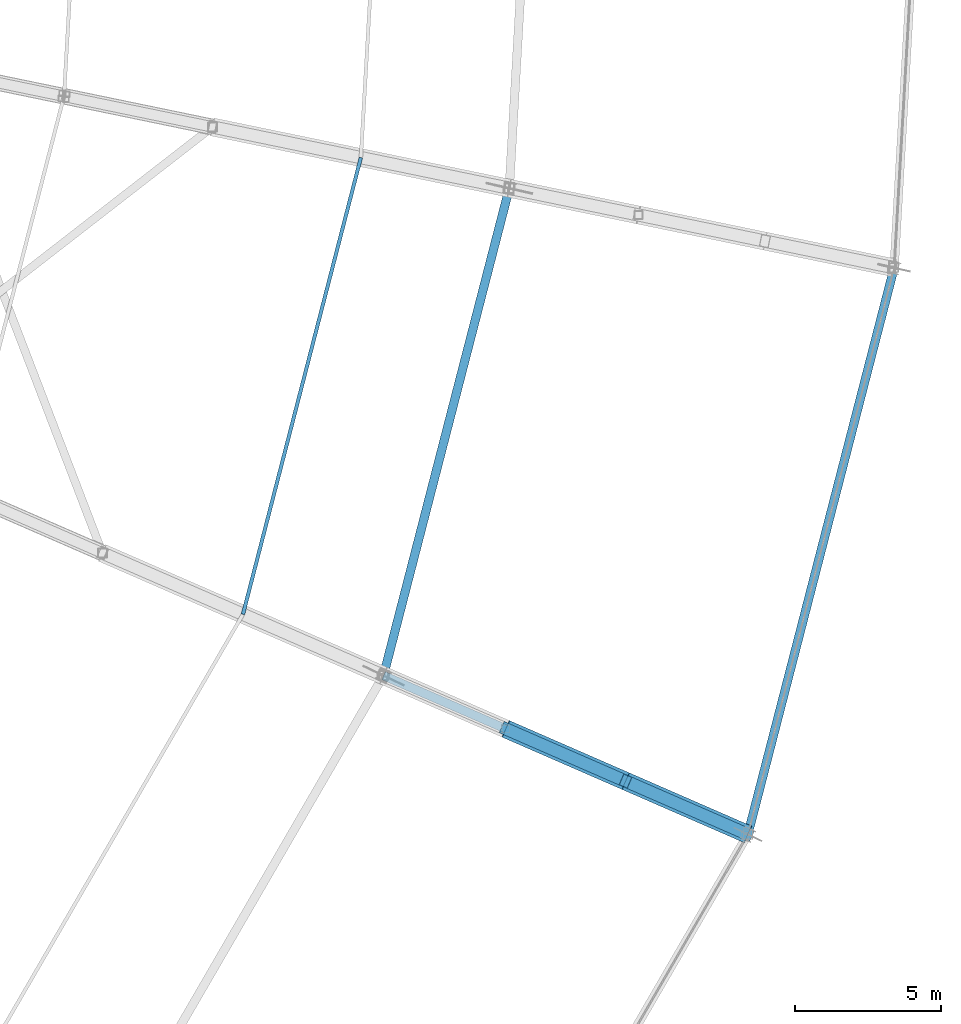
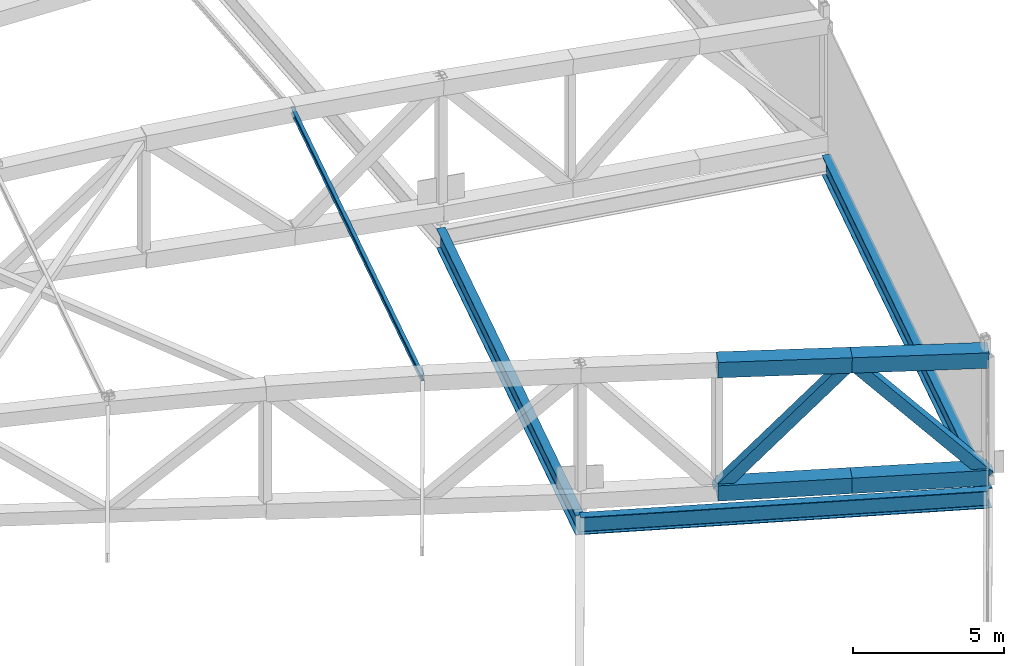
# One storey, part 54 of 162: 7 members, 3 beams.
"""IFC4 building model written with IfcOpenShell, lengths in metres."""

from ifc_helpers import new_model, si_unit, direction, frame, origin, origin_2d, place, context, subcontext, project, spatial, hollow_rectangle, i_section, extrude, material, material_profile, profile_set, type_object, element, save


model = new_model("IFC4")

# Units and contexts
model_context = context("Model", 3, precision=1e-05, world=origin(), true_north=direction((0.0, 1.0)))
body_context = subcontext(model_context, "Body", "Model", "MODEL_VIEW")
ifc_project = project(units=[si_unit("LENGTHUNIT", "METRE"), si_unit("AREAUNIT", "SQUARE_METRE"), si_unit("VOLUMEUNIT", "CUBIC_METRE"), si_unit("PLANEANGLEUNIT", "RADIAN"), si_unit("MASSUNIT", "GRAM", prefix="KILO")], contexts=[model_context])

# Site, building, storey
site_placement = place(None, origin())
site = spatial("IfcSite", under=ifc_project, at=site_placement, CompositionType="ELEMENT")
building_placement = place(site_placement, origin())
building = spatial("IfcBuilding", under=site, at=building_placement, Name="Kazemori Nagisa Stadium", CompositionType="ELEMENT")
storey_placement = place(building_placement, frame((0.0, 0.0, 36.719970703125)))
storey = spatial("IfcBuildingStorey", under=building, at=storey_placement, Name="RF", CompositionType="ELEMENT", Elevation=36.719970703125)

# Beams
ifc_material_1 = material(Name="Steel SN490B", Category="steel")
ifc_material_profile_1 = material_profile(ifc_material_1, i_section(OverallWidth=0.300048828125, OverallDepth=0.699951171875, WebThickness=0.012939453125, FlangeThickness=0.02392578125, FilletRadius=0.01806640625, at=origin_2d()), Name="H-700x300x13x24")
ifc_profile_set_1 = profile_set([ifc_material_profile_1], Name="Steel SN490B")
beam_type_1 = type_object("IfcBeamType", Name="Beam_BG-H700", PredefinedType="BEAM", material=ifc_profile_set_1)
beam_1_placement = place(storey_placement, frame((199.44091796875, 68.67529296875, -0.6298828125), z_axis=(0.916683633521, -0.399613708517, 0.0), x_axis=(0.399613708517, 0.916683633521, 0.0)))
element("IfcBeam", 1, at=beam_1_placement, inside=storey, type_object=beam_type_1, Name="Radial girder BG-H700 RF R2-R3-27", PredefinedType="BEAM", context=body_context, shape_type="SweptSolid", body=[
    extrude(i_section(OverallWidth=0.300048828125, OverallDepth=0.699951171875, WebThickness=0.012939453125, FlangeThickness=0.02392578125, FilletRadius=0.01806640625, at=origin_2d()), origin(), (0.0, 0.0, 1.0), 13.5751953125),
])
ifc_material_profile_2 = material_profile(ifc_material_1, i_section(OverallWidth=0.300048828125, OverallDepth=0.800048828125, WebThickness=0.013916015625, FlangeThickness=0.02587890625, FilletRadius=0.01806640625, at=origin_2d()), Name="H-800x300x14x26")
ifc_profile_set_2 = profile_set([ifc_material_profile_2], Name="Steel SN490B")
beam_type_2 = type_object("IfcBeamType", Name="Beam_BG-H800", PredefinedType="BEAM", material=ifc_profile_set_2)
beam_2_placement = place(storey_placement, frame((199.44091796875, 68.67529296875, -0.679931640625), z_axis=(0.249974673676, 0.968252375427, 0.0), x_axis=(-0.968252375427, 0.249974673676, 0.0)))
element("IfcBeam", 2, at=beam_2_placement, inside=storey, type_object=beam_type_2, Name="Ring girder BG-H800 RF R2-27", PredefinedType="BEAM", context=body_context, shape_type="SweptSolid", body=[
    extrude(i_section(OverallWidth=0.300048828125, OverallDepth=0.800048828125, WebThickness=0.013916015625, FlangeThickness=0.02587890625, FilletRadius=0.01806640625, at=origin_2d()), origin(), (0.0, 0.0, 1.0), 17.188232421875),
])
beam_3_placement = place(storey_placement, frame((211.885009765625, 63.25048828125, -0.679931640625), z_axis=(0.249964097999, 0.968255105699, 0.0), x_axis=(-0.968255105699, 0.249964097999, 0.0)))
element("IfcBeam", 3, at=beam_3_placement, inside=storey, type_object=beam_type_2, Name="Roof compression ring beam BG-H800 R3-27", PredefinedType="BEAM", context=body_context, shape_type="SweptSolid", body=[
    extrude(i_section(OverallWidth=0.300048828125, OverallDepth=0.800048828125, WebThickness=0.013916015625, FlangeThickness=0.02587890625, FilletRadius=0.01806640625, at=origin_2d()), origin(), (0.0, 0.0, 1.0), 19.986328125),
])

# Members
ifc_material_2 = material(Name="Steel STKR490", Category="steel")
ifc_material_profile_3 = material_profile(ifc_material_2, hollow_rectangle(XDim=0.419921875, YDim=0.419921875, WallThickness=0.01611328125, at=origin_2d()), Name="SHS-420x420x16")
ifc_profile_set_3 = profile_set([ifc_material_profile_3], Name="Steel STKR490")
member_type_1 = type_object("IfcMemberType", Name="Member_TB-SHS420", PredefinedType="BRACE", material=ifc_profile_set_3)
member_1_placement = place(storey_placement, frame((211.885009765625, 63.25048828125, 0.360107421875), z_axis=(-0.624310604924, 0.272169069234, 0.732229654092), x_axis=(-0.399626973306, -0.916677850832, 0.0)))
element("IfcMember", 4, at=member_1_placement, inside=storey, type_object=member_type_1, Name="Roof space truss diagonal RT-27-1", PredefinedType="BRACE", context=body_context, shape_type="SweptSolid", body=[
    extrude(hollow_rectangle(XDim=0.419921875, YDim=0.419921875, WallThickness=0.01611328125, at=origin_2d()), origin(), (0.0, 0.0, 1.0), 6.691650390625),
])
member_2_placement = place(storey_placement, frame((207.707275390625, 65.07177734375, 5.260009765625), z_axis=(-0.622589724178, 0.271423393815, -0.733969601985), x_axis=(-0.399632596361, -0.916675399433, 0.0)))
element("IfcMember", 5, at=member_2_placement, inside=storey, type_object=member_type_1, Name="Roof space truss diagonal RT-27-2", PredefinedType="BRACE", context=body_context, shape_type="SweptSolid", body=[
    extrude(hollow_rectangle(XDim=0.419921875, YDim=0.419921875, WallThickness=0.01611328125, at=origin_2d()), origin(), (0.0, 0.0, 1.0), 6.567138671875),
])
ifc_material_profile_4 = material_profile(ifc_material_2, hollow_rectangle(XDim=0.6201171875, YDim=0.6201171875, WallThickness=0.02197265625, at=origin_2d()), Name="SHS-620x620x22")
ifc_profile_set_4 = profile_set([ifc_material_profile_4], Name="Steel STKR490")
member_type_2 = type_object("IfcMemberType", Name="Member_TC-SHS620", PredefinedType="CHORD", material=ifc_profile_set_4)
member_3_placement = place(storey_placement, frame((211.885009765625, 63.25048828125, 5.10009765625), z_axis=(-0.916114082748, 0.399381197832, 0.035066311606), x_axis=(-0.399626973306, -0.916677850832, 0.0)))
element("IfcMember", 6, at=member_3_placement, inside=storey, type_object=member_type_2, Name="Roof space truss top chord RT-27-1", PredefinedType="CHORD", context=body_context, shape_type="SweptSolid", body=[
    extrude(hollow_rectangle(XDim=0.6201171875, YDim=0.6201171875, WallThickness=0.02197265625, at=origin_2d()), origin(), (0.0, 0.0, 1.0), 4.560302734375),
])
member_4_placement = place(storey_placement, frame((211.885009765625, 63.25048828125, 0.360107421875), z_axis=(-0.916642477072, 0.399611552066, 0.008785026078), x_axis=(-0.399626973306, -0.916677850832, 0.0)))
element("IfcMember", 7, at=member_4_placement, inside=storey, type_object=member_type_2, Name="Roof space truss bottom chord RT-27-1", PredefinedType="CHORD", context=body_context, shape_type="SweptSolid", body=[
    extrude(hollow_rectangle(XDim=0.6201171875, YDim=0.6201171875, WallThickness=0.02197265625, at=origin_2d()), origin(), (0.0, 0.0, 1.0), 4.5576171875),
])
member_5_placement = place(storey_placement, frame((207.707275390625, 65.07177734375, 5.260009765625), z_axis=(-0.916086817595, 0.399375999001, 0.035829513676), x_axis=(-0.399632596361, -0.916675399433, 0.0)))
element("IfcMember", 8, at=member_5_placement, inside=storey, type_object=member_type_2, Name="Roof space truss top chord RT-27-2", PredefinedType="CHORD", context=body_context, shape_type="SweptSolid", body=[
    extrude(hollow_rectangle(XDim=0.6201171875, YDim=0.6201171875, WallThickness=0.02197265625, at=origin_2d()), origin(), (0.0, 0.0, 1.0), 4.463134765625),
])
member_6_placement = place(storey_placement, frame((207.707275390625, 65.07177734375, 0.400146484375), z_axis=(-0.916638916313, 0.399616691228, 0.008921725883), x_axis=(-0.399632596361, -0.916675399433, 0.0)))
element("IfcMember", 9, at=member_6_placement, inside=storey, type_object=member_type_2, Name="Roof space truss bottom chord RT-27-2", PredefinedType="CHORD", context=body_context, shape_type="SweptSolid", body=[
    extrude(hollow_rectangle(XDim=0.6201171875, YDim=0.6201171875, WallThickness=0.02197265625, at=origin_2d()), origin(), (0.0, 0.0, 1.0), 4.46044921875),
])
ifc_material_profile_5 = material_profile(ifc_material_1, i_section(OverallWidth=0.125, OverallDepth=0.25, WebThickness=0.006103515625, FlangeThickness=0.009033203125, FilletRadius=0.008056640625, at=origin_2d()), Name="H-250x125x6x9")
ifc_profile_set_5 = profile_set([ifc_material_profile_5], Name="Steel SN490B")
member_type_3 = type_object("IfcMemberType", Name="Member_TP-H250", PredefinedType="PURLIN", material=ifc_profile_set_5)
member_7_placement = place(storey_placement, frame((194.641357421875, 70.767822265625, 5.659912109375), z_axis=(0.249959832436, 0.968255246143, -0.001363995933), x_axis=(-0.968256146857, 0.249960064959, 0.0)))
element("IfcMember", 10, at=member_7_placement, inside=storey, type_object=member_type_3, Name="Roof purlin TP-H250 B27-P4", PredefinedType="PURLIN", context=body_context, shape_type="SweptSolid", body=[
    extrude(i_section(OverallWidth=0.125, OverallDepth=0.25, WebThickness=0.006103515625, FlangeThickness=0.009033203125, FilletRadius=0.008056640625, at=origin_2d()), origin(), (0.0, 0.0, 1.0), 16.109130859375),
])

save(model, "model.ifc")
